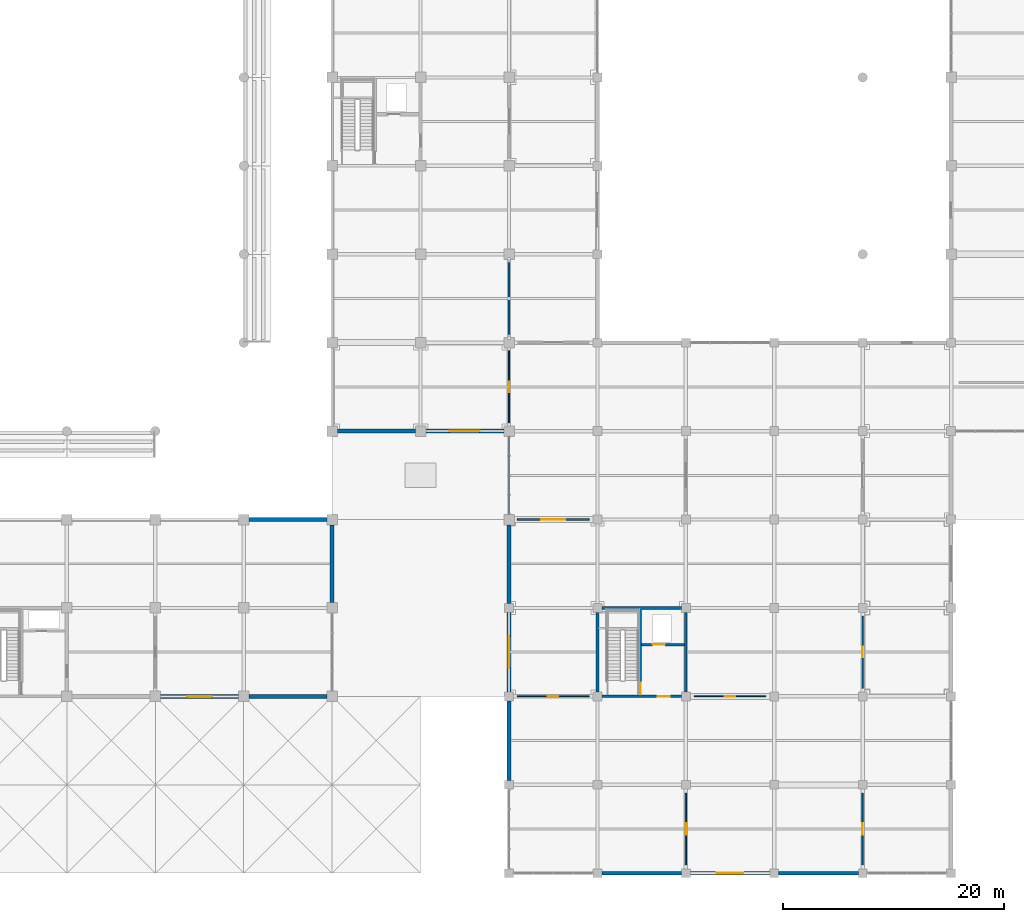
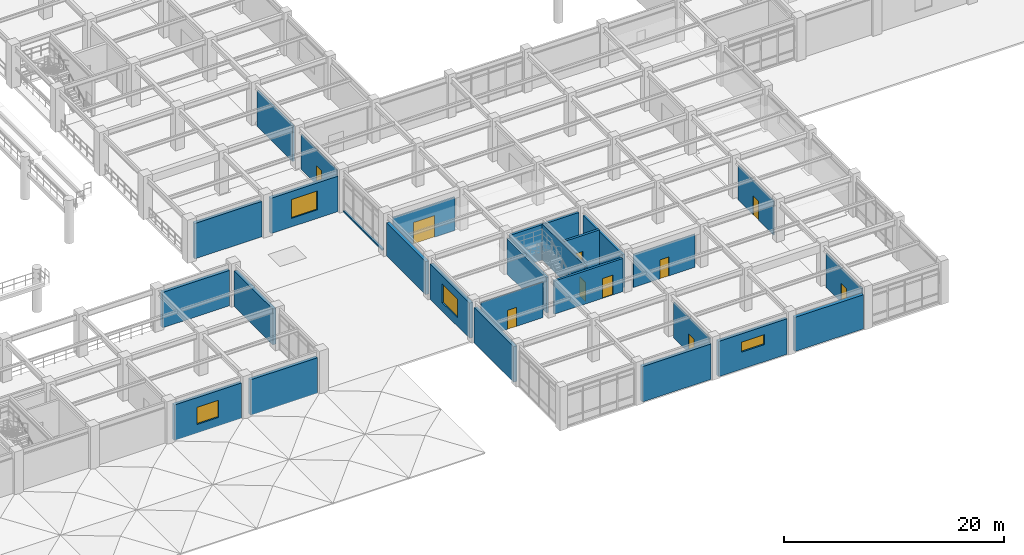
# One storey, part 73 of 109: 27 walls, 10 doors, 4 windows, 14 openings.
"""IFC4 building model written with IfcOpenShell, lengths in metres."""

import ifcopenshell
import ifcopenshell.guid

model = None  # the IFC model being written
_history = None  # IfcOwnerHistory: only IFC2X3 demands one
_inside = {}  # id of a spatial element -> (the spatial element, [elements in it])
_under = {}  # id of a project, library or spatial element -> (it, [spatial elements below it])
_declared = {}  # id of a project -> (the project, [libraries it declares])
_typed = {}  # id of a type object -> (the type object, [elements of that type])
_made_of = {}  # id of a material, layer set ... -> (it, [elements and type objects made of it])


def new_model(schema):
    """Start an empty IFC model of exactly this schema.

    Asked for "IFC4X3", IfcOpenShell would pick the latest addendum, in which some entities
    have other attributes; the version numbers below select the first issue.
    IFC2X3 requires an IfcOwnerHistory on every rooted entity: one is made here for all.
    """
    global model, _history
    if schema == "IFC4X3":
        model = ifcopenshell.file(schema_version=(4, 3, 0, 0))
    else:
        model = ifcopenshell.file(schema=schema)
    _inside.clear()
    _under.clear()
    _declared.clear()
    _typed.clear()
    _made_of.clear()
    _history = None
    if model.schema == "IFC2X3":
        org = make("IfcOrganization", Name="unknown")
        user = make(
            "IfcPersonAndOrganization",
            ThePerson=make("IfcPerson", FamilyName="unknown"),
            TheOrganization=org,
        )
        app = make(
            "IfcApplication",
            ApplicationDeveloper=org,
            Version="unknown",
            ApplicationFullName="unknown",
            ApplicationIdentifier="unknown",
        )
        _history = make(
            "IfcOwnerHistory",
            OwningUser=user,
            OwningApplication=app,
            ChangeAction="ADDED",
            CreationDate=0,
        )
    return model


def make(cls, **values):
    """One entity of the class cls with the attributes given. An attribute that is None is left unset."""
    return model.create_entity(
        cls, **{name: value for name, value in values.items() if value is not None}
    )


def rooted(cls, **values):
    """An entity with a GlobalId (a new one), such as an element, a storey or a relation."""
    return make(cls, GlobalId=ifcopenshell.guid.new(), OwnerHistory=_history, **values)


def si_unit(unit_type, name, prefix=None):
    """IfcSIUnit, for example si_unit("LENGTHUNIT", "METRE", prefix="MILLI")."""
    return make("IfcSIUnit", UnitType=unit_type, Prefix=prefix, Name=name)


def assignment(units):
    """IfcUnitAssignment: the units of a project."""
    return None if units is None else make("IfcUnitAssignment", Units=units)


def point(xyz):
    """IfcCartesianPoint."""
    return None if xyz is None else make("IfcCartesianPoint", Coordinates=xyz)


def direction(xyz):
    """IfcDirection."""
    return None if xyz is None else make("IfcDirection", DirectionRatios=xyz)


def frame(location, z_axis=None, x_axis=None):
    """IfcAxis2Placement3D, a coordinate frame: its origin and axes. An axis left out is left unset."""
    return make(
        "IfcAxis2Placement3D",
        Location=point(location),
        Axis=direction(z_axis),
        RefDirection=direction(x_axis),
    )


def frame_2d(location, x_axis=None):
    """IfcAxis2Placement2D, a coordinate frame in the plane: its origin and x axis."""
    return make(
        "IfcAxis2Placement2D", Location=point(location), RefDirection=direction(x_axis)
    )


def origin():
    """The frame at (0, 0, 0) with its axes left unset."""
    return frame((0.0, 0.0, 0.0))


def place(relative_to, where):
    """IfcLocalPlacement: puts the frame where relative to a parent placement (None: the world)."""
    return make(
        "IfcLocalPlacement", PlacementRelTo=relative_to, RelativePlacement=where
    )


def context(
    kind, dimensions, precision=None, world=None, true_north=None, identifier=None
):
    """IfcGeometricRepresentationContext, for example the 3D "Model" context."""
    return make(
        "IfcGeometricRepresentationContext",
        ContextIdentifier=identifier,
        ContextType=kind,
        CoordinateSpaceDimension=dimensions,
        Precision=precision,
        WorldCoordinateSystem=world,
        TrueNorth=true_north,
    )


def subcontext(parent, identifier, kind, view, scale=None):
    """IfcGeometricRepresentationSubContext, for example "Body" below "Model"."""
    return make(
        "IfcGeometricRepresentationSubContext",
        ContextIdentifier=identifier,
        ContextType=kind,
        ParentContext=parent,
        TargetScale=scale,
        TargetView=view,
    )


def project(units=None, contexts=None):
    """IfcProject with its units and contexts."""
    return rooted(
        "IfcProject",
        Name="project",
        RepresentationContexts=contexts,
        UnitsInContext=assignment(units),
    )


def spatial(cls, under=None, at=None, **own):
    """A site, building, storey or space (cls), placed at a placement, below another one or the project."""
    s = rooted(cls, ObjectPlacement=at, **own)
    if under is not None:
        _under.setdefault(under.id(), (under, []))[1].append(s)
    return s


def profile(cls, at=None, kind="AREA", **sizes):
    """A parametric profile (cls). Its sizes go by their IFC names, for example OverallWidth=200.0."""
    return make(cls, ProfileType=kind, Position=at, **sizes)


def rectangle(**sizes):
    """IfcRectangleProfileDef."""
    return profile("IfcRectangleProfileDef", **sizes)


def extrude(swept, where, along, depth):
    """IfcExtrudedAreaSolid: the profile swept, set in the frame where, extruded along a direction by depth."""
    return make(
        "IfcExtrudedAreaSolid",
        SweptArea=swept,
        Position=where,
        ExtrudedDirection=direction(along),
        Depth=depth,
    )


def shape(context_of_items, identifier, shape_type, items):
    """IfcShapeRepresentation: the items that make up one representation, for example the "Body"."""
    return make(
        "IfcShapeRepresentation",
        ContextOfItems=context_of_items,
        RepresentationIdentifier=identifier,
        RepresentationType=shape_type,
        Items=items,
    )


def material(Name=None, Category=None):
    """IfcMaterial."""
    return make("IfcMaterial", Name=Name, Category=Category)


def layer(
    of_material, thickness, ventilated=None, Name=None, Category=None, Priority=None
):
    """IfcMaterialLayer: one layer of a wall or slab, of a material (None: an air gap)."""
    return make(
        "IfcMaterialLayer",
        Material=of_material,
        LayerThickness=thickness,
        IsVentilated=ventilated,
        Name=Name,
        Category=Category,
        Priority=Priority,
    )


def layer_set(layers, Name=None):
    """IfcMaterialLayerSet."""
    return make("IfcMaterialLayerSet", MaterialLayers=layers, LayerSetName=Name)


def made_of(thing, what):
    """Note that an element or type object is made of a material, layer set ...; save() writes the relation."""
    if what is not None:
        _made_of.setdefault(what.id(), (what, []))[1].append(thing)
    return thing


def type_object(cls, material=None, **own):
    """A type object (cls), such as IfcWallType, which elements share."""
    return made_of(rooted(cls, **own), material)


def element(
    cls,
    number,
    at=None,
    inside=None,
    cuts=None,
    type_object=None,
    material=None,
    context=None,
    identifier="Body",
    shape_type=None,
    held_by="IfcProductDefinitionShape",
    body=None,
    shapes=None,
    **own,
):
    """One element of the class cls, such as IfcWall. Its Tag is "e" and its number.

    at: its placement. inside: the storey or other place that contains it. cuts: it is an
    opening in that element (IfcRelVoidsElement). A single representation is given by context,
    identifier, shape_type and body (its items); several are given by shapes. held_by: the class
    of the entity that holds the representations. save() writes the other relations.
    """
    e = rooted(cls, Tag="e%d" % number, ObjectPlacement=at, **own)
    if body is not None:
        shapes = [shape(context, identifier, shape_type, body)]
    if shapes is not None:
        e.Representation = make(held_by, Representations=shapes)
    if inside is not None:
        _inside.setdefault(inside.id(), (inside, []))[1].append(e)
    if cuts is not None:
        rooted(
            "IfcRelVoidsElement", RelatingBuildingElement=cuts, RelatedOpeningElement=e
        )
    if type_object is not None:
        _typed.setdefault(type_object.id(), (type_object, []))[1].append(e)
    return made_of(e, material)


def fill(opening, filler):
    """IfcRelFillsElement: the door or window that sits in an opening."""
    return rooted(
        "IfcRelFillsElement",
        RelatingOpeningElement=opening,
        RelatedBuildingElement=filler,
    )


def aggregate(whole, parts):
    """IfcRelAggregates: a whole, such as a stair, and the parts it consists of."""
    return rooted("IfcRelAggregates", RelatingObject=whole, RelatedObjects=parts)


def save(model, path):
    """Write the relations noted so far, then the file.

    IfcRelAggregates (storeys below a building ...), IfcRelContainedInSpatialStructure (elements
    in a storey), IfcRelDefinesByType, IfcRelAssociatesMaterial and IfcRelDeclares: one each for
    every whole, place, type object, material and project.
    """
    for whole, parts in _under.values():
        aggregate(whole, parts)
    for where, things in _inside.values():
        rooted(
            "IfcRelContainedInSpatialStructure",
            RelatedElements=things,
            RelatingStructure=where,
        )
    for kind, things in _typed.values():
        rooted("IfcRelDefinesByType", RelatedObjects=things, RelatingType=kind)
    for what, things in _made_of.values():
        rooted("IfcRelAssociatesMaterial", RelatedObjects=things, RelatingMaterial=what)
    for by, libraries in _declared.values():
        rooted("IfcRelDeclares", RelatingContext=by, RelatedDefinitions=libraries)
    model.write(path)


model = new_model("IFC4")

# Units and contexts
model_context = context("Model", 3, precision=1e-05, world=origin(), true_north=direction((0.0, 1.0)))
body_context = subcontext(model_context, "Body", "Model", "MODEL_VIEW")
ifc_project = project(units=[si_unit("LENGTHUNIT", "METRE"), si_unit("AREAUNIT", "SQUARE_METRE"), si_unit("VOLUMEUNIT", "CUBIC_METRE"), si_unit("PLANEANGLEUNIT", "RADIAN"), si_unit("MASSUNIT", "GRAM", prefix="KILO")], contexts=[model_context])

# Site, building, storey
site_placement = place(None, origin())
site = spatial("IfcSite", under=ifc_project, at=site_placement, CompositionType="ELEMENT")
building_placement = place(site_placement, origin())
building = spatial("IfcBuilding", under=site, at=building_placement, Name="Haebicheon Civic Stadium", CompositionType="ELEMENT")
storey_placement = place(building_placement, frame((0.0, 0.0, 9.60009765625)))
storey = spatial("IfcBuildingStorey", under=building, at=storey_placement, Name="L03", CompositionType="ELEMENT", Elevation=9.60009765625)

# Wall, opening, door
ifc_material_1 = material(Name="Concrete C40/50", Category="concrete")
ifc_layer_1 = layer(ifc_material_1, 0.239990234375, Name="Concrete C40/50")
ifc_layer_set_1 = layer_set([ifc_layer_1], Name="Concrete C40/50")
wall_type_1 = type_object("IfcWallType", Name="CW-SHR-240", PredefinedType="SHEAR", material=ifc_layer_set_1)
wall_1_placement = place(storey_placement, frame((168.39990234375, 16.0, 0.0), z_axis=(0.0, 0.0, 1.0), x_axis=(1.0, 0.0, 0.0)))
wall_1 = element("IfcWall", 1, at=wall_1_placement, inside=storey, type_object=wall_type_1, material=ifc_layer_set_1, Name="KC-14 L03 south core shear wall", PredefinedType="SHEAR", context=body_context, shape_type="SweptSolid", body=[
    extrude(rectangle(XDim=7.2001953125, YDim=0.239990234375, at=frame_2d((3.60009765625, 0.0))), origin(), (0.0, 0.0, 1.0), 3.679931640625),
])
opening_1_placement = place(wall_1_placement, frame((5.050048828125, 0.0, 0.0)))
opening_1 = element("IfcOpeningElement", 2, at=opening_1_placement, cuts=wall_1, Name="Opening D-L03-KC-14-LOB", PredefinedType="OPENING", context=body_context, shape_type="SweptSolid", body=[
    extrude(rectangle(XDim=1.10009765625, YDim=2.199951171875, at=frame_2d((0.550048828125, 1.10009765625))), frame((0.0, 0.1298828125, 0.0), z_axis=(0.0, -1.0, 0.0), x_axis=(1.0, 0.0, 0.0)), (0.0, 0.0, 1.0), 0.260009765625),
])
ifc_material_2 = material(Name="Galvanised painted steel SM355", Category="steel")
door_type_1 = type_object("IfcDoorType", Name="ID-FD-1100", OperationType="NOTDEFINED", PredefinedType="DOOR", material=ifc_material_2)
door_1_placement = place(opening_1_placement, origin())
door_1 = element("IfcDoor", 3, at=door_1_placement, inside=storey, type_object=door_type_1, material=ifc_material_2, Name="L03 KC-14 lobby fire door", OperationType="SINGLE_SWING_RIGHT", OverallHeight=2.199951171875, OverallWidth=1.10009765625, PredefinedType="DOOR", context=body_context, shape_type="SweptSolid", body=[
    extrude(rectangle(XDim=1.10009765625, YDim=2.199951171875, at=frame_2d((0.550048828125, 1.10009765625))), frame((0.0, 0.02490234375, 0.0), z_axis=(0.0, -1.0, 0.0), x_axis=(1.0, 0.0, 0.0)), (0.0, 0.0, 1.0), 0.050048828125),
])
fill(opening_1, door_1)

# Walls
for number, where, z_axis, x_axis, name in (
    (4, (168.39990234375, 24.0, 0.0), (0.0, 0.0, 1.0), (1.0, 0.0, 0.0), "KC-14 L03 north core shear wall"),
    (5, (168.0, 16.39990234375, 0.0), (0.0, 0.0, 1.0), (0.0, 1.0, 0.0), "KC-14 L03 west core shear wall"),
):
    element("IfcWall", number, at=place(storey_placement, frame(where, z_axis=z_axis, x_axis=x_axis)), inside=storey, type_object=wall_type_1, material=ifc_layer_set_1, Name=name, PredefinedType="SHEAR", context=body_context, shape_type="SweptSolid", body=[
        extrude(rectangle(XDim=7.2001953125, YDim=0.239990234375, at=frame_2d((3.60009765625, 0.0))), origin(), (0.0, 0.0, 1.0), 3.929931640625),
    ])
wall_2_placement = place(storey_placement, frame((176.0, 16.39990234375, 0.0), z_axis=(0.0, 0.0, 1.0), x_axis=(0.0, 1.0, 0.0)))
element("IfcWall", 6, at=wall_2_placement, inside=storey, type_object=wall_type_1, material=ifc_layer_set_1, Name="KC-14 L03 east core shear wall", PredefinedType="SHEAR", context=body_context, shape_type="SweptSolid", body=[
    extrude(rectangle(XDim=7.2001953125, YDim=0.239990234375, at=frame_2d((3.60009765625, 0.0))), origin(), (0.0, 0.0, 1.0), 3.679931640625),
])

# Wall, opening, door
wall_3_placement = place(storey_placement, frame((171.8798828125, 16.1201171875, 0.0), z_axis=(0.0, 0.0, 1.0), x_axis=(0.0, 1.0, 0.0)))
wall_3 = element("IfcWall", 7, at=wall_3_placement, inside=storey, type_object=wall_type_1, material=ifc_layer_set_1, Name="KC-14 L03 stair-lobby dividing shear wall", PredefinedType="SHEAR", context=body_context, shape_type="SweptSolid", body=[
    extrude(rectangle(XDim=7.759765625, YDim=0.239990234375, at=frame_2d((3.8798828125, 0.0))), origin(), (0.0, 0.0, 1.0), 4.02978515625),
])
opening_2_placement = place(wall_3_placement, frame((0.080078125, 0.0, 0.0)))
opening_2 = element("IfcOpeningElement", 8, at=opening_2_placement, cuts=wall_3, Name="Opening D-L03-KC-14-STR", PredefinedType="OPENING", context=body_context, shape_type="SweptSolid", body=[
    extrude(rectangle(XDim=1.050048828125, YDim=2.14990234375, at=frame_2d((0.52490234375, 1.074951171875))), frame((0.0, 0.1298828125, 0.0), z_axis=(0.0, -1.0, 0.0), x_axis=(1.0, 0.0, 0.0)), (0.0, 0.0, 1.0), 0.260009765625),
])
ifc_material_3 = material(Name="Galvanised painted steel SM355", Category="steel")
door_type_2 = type_object("IfcDoorType", Name="ID-FD-1050", OperationType="NOTDEFINED", PredefinedType="DOOR", material=ifc_material_3)
door_2_placement = place(opening_2_placement, origin())
door_2 = element("IfcDoor", 9, at=door_2_placement, inside=storey, type_object=door_type_2, material=ifc_material_3, Name="L03 ST-14 stairwell escape door", OperationType="SINGLE_SWING_LEFT", OverallHeight=2.14990234375, OverallWidth=1.050048828125, PredefinedType="DOOR", context=body_context, shape_type="SweptSolid", body=[
    extrude(rectangle(XDim=1.050048828125, YDim=2.14990234375, at=frame_2d((0.52490234375, 1.074951171875))), frame((0.0, 0.02490234375, 0.0), z_axis=(0.0, -1.0, 0.0), x_axis=(1.0, 0.0, 0.0)), (0.0, 0.0, 1.0), 0.050048828125),
])
fill(opening_2, door_2)

wall_4_placement = place(storey_placement, frame((172.0, 20.679931640625, 0.0), z_axis=(0.0, 0.0, 1.0), x_axis=(1.0, 0.0, 0.0)))
wall_4 = element("IfcWall", 10, at=wall_4_placement, inside=storey, type_object=wall_type_1, material=ifc_layer_set_1, Name="KC-14 L03 lift shaft front wall", PredefinedType="SHEAR", context=body_context, shape_type="SweptSolid", body=[
    extrude(rectangle(XDim=3.8798828125, YDim=0.239990234375, at=frame_2d((1.93994140625, 0.0))), origin(), (0.0, 0.0, 1.0), 3.929931640625),
])
opening_3_placement = place(wall_4_placement, frame((1.0, 0.0, 0.0)))
opening_3 = element("IfcOpeningElement", 11, at=opening_3_placement, cuts=wall_4, Name="Opening LD-10-L03", PredefinedType="OPENING", context=body_context, shape_type="SweptSolid", body=[
    extrude(rectangle(XDim=1.10009765625, YDim=2.14990234375, at=frame_2d((0.550048828125, 1.074951171875))), frame((0.0, 0.1298828125, 0.0), z_axis=(0.0, -1.0, 0.0), x_axis=(1.0, 0.0, 0.0)), (0.0, 0.0, 1.0), 0.260009765625),
])
ifc_material_4 = material(Name="Stainless steel 316", Category="steel")
door_type_3 = type_object("IfcDoorType", Name="ID-LD-1100", OperationType="NOTDEFINED", PredefinedType="DOOR", material=ifc_material_4)
door_3_placement = place(opening_3_placement, origin())
door_3 = element("IfcDoor", 12, at=door_3_placement, inside=storey, type_object=door_type_3, material=ifc_material_4, Name="LF-10 lift landing sliding door L03", OperationType="SLIDING_TO_LEFT", OverallHeight=2.14990234375, OverallWidth=1.10009765625, PredefinedType="DOOR", context=body_context, shape_type="SweptSolid", body=[
    extrude(rectangle(XDim=1.10009765625, YDim=2.14990234375, at=frame_2d((0.550048828125, 1.074951171875))), frame((0.0, 0.02490234375, 0.0), z_axis=(0.0, -1.0, 0.0), x_axis=(1.0, 0.0, 0.0)), (0.0, 0.0, 1.0), 0.050048828125),
])
fill(opening_3, door_3)

# Wall, opening, window
ifc_material_5 = material(Name="Concrete C40/50", Category="concrete")
ifc_layer_2 = layer(ifc_material_5, 0.35009765625, Name="Concrete C40/50")
ifc_layer_set_2 = layer_set([ifc_layer_2], Name="Concrete C40/50")
wall_type_2 = type_object("IfcWallType", Name="EW-BM-350", PredefinedType="SOLIDWALL", material=ifc_layer_set_2)
wall_5_placement = place(storey_placement, frame((128.47509765625, 16.0, 0.0), z_axis=(0.0, 0.0, 1.0), x_axis=(1.0, 0.0, 0.0)))
wall_5 = element("IfcWall", 13, at=wall_5_placement, inside=storey, type_object=wall_type_2, material=ifc_layer_set_2, Name="L03 board-marked concrete facade wall 16-02-S", PredefinedType="SOLIDWALL", context=body_context, shape_type="SweptSolid", body=[
    extrude(rectangle(XDim=7.0498046875, YDim=0.35009765625, at=frame_2d((3.52490234375, 0.0))), origin(), (0.0, 0.0, 1.0), 3.929931640625),
])
opening_4_placement = place(wall_5_placement, frame((2.39990234375, 0.0, 0.949951171875)))
opening_4 = element("IfcOpeningElement", 14, at=opening_4_placement, cuts=wall_5, Name="Opening WIN-225x190", PredefinedType="OPENING", context=body_context, shape_type="SweptSolid", body=[
    extrude(rectangle(XDim=2.25, YDim=1.89990234375, at=frame_2d((1.125, 0.949951171875))), frame((0.0, 0.18505859375, 0.0), z_axis=(0.0, -1.0, 0.0), x_axis=(1.0, 0.0, 0.0)), (0.0, 0.0, 1.0), 0.3701171875),
])
ifc_material_6 = material(Name="Anodised aluminium and laminated glass", Category="aluminium")
window_type_1 = type_object("IfcWindowType", Name="WIN-225x190", PartitioningType="SINGLE_PANEL", PredefinedType="WINDOW", material=ifc_material_6)
window_1_placement = place(opening_4_placement, origin())
window_1 = element("IfcWindow", 15, at=window_1_placement, inside=storey, type_object=window_type_1, material=ifc_material_6, Name="L03 facade window 076", OverallHeight=1.89990234375, OverallWidth=2.25, PartitioningType="SINGLE_PANEL", PredefinedType="WINDOW", context=body_context, shape_type="SweptSolid", body=[
    extrude(rectangle(XDim=2.25, YDim=1.89990234375, at=frame_2d((1.125, 0.949951171875))), frame((0.0, 0.030029296875, 0.0), z_axis=(0.0, -1.0, 0.0), x_axis=(1.0, 0.0, 0.0)), (0.0, 0.0, 1.0), 0.06005859375),
])
fill(opening_4, window_1)

# Walls
for number, where, z_axis, x_axis, name in (
    (16, (136.47509765625, 16.0, 0.0), (0.0, 0.0, 1.0), (1.0, 0.0, 0.0), "L03 board-marked concrete facade wall 17-02-S"),
    (17, (136.47509765625, 32.0, 0.0), (0.0, 0.0, 1.0), (1.0, 0.0, 0.0), "L03 board-marked concrete facade wall 17-04-N"),
):
    element("IfcWall", number, at=place(storey_placement, frame(where, z_axis=z_axis, x_axis=x_axis)), inside=storey, type_object=wall_type_2, material=ifc_layer_set_2, Name=name, PredefinedType="SOLIDWALL", context=body_context, shape_type="SweptSolid", body=[
        extrude(rectangle(XDim=7.0498046875, YDim=0.35009765625, at=frame_2d((3.52490234375, 0.0))), origin(), (0.0, 0.0, 1.0), 3.929931640625),
    ])
wall_6_placement = place(storey_placement, frame((144.0, 24.47509765625, 0.0), z_axis=(0.0, 0.0, 1.0), x_axis=(0.0, 1.0, 0.0)))
element("IfcWall", 18, at=wall_6_placement, inside=storey, type_object=wall_type_2, material=ifc_layer_set_2, Name="L03 board-marked concrete facade wall 18-03-E", PredefinedType="SOLIDWALL", context=body_context, shape_type="SweptSolid", body=[
    extrude(rectangle(XDim=7.0498046875, YDim=0.35009765625, at=frame_2d((3.52490234375, 0.0))), origin(), (0.0, 0.0, 1.0), 3.949951171875),
])
wall_7_placement = place(storey_placement, frame((144.47509765625, 40.0, 0.0), z_axis=(0.0, 0.0, 1.0), x_axis=(1.0, 0.0, 0.0)))
element("IfcWall", 19, at=wall_7_placement, inside=storey, type_object=wall_type_2, material=ifc_layer_set_2, Name="L03 board-marked concrete facade wall 18-05-S", PredefinedType="SOLIDWALL", context=body_context, shape_type="SweptSolid", body=[
    extrude(rectangle(XDim=7.0498046875, YDim=0.35009765625, at=frame_2d((3.52490234375, 0.0))), origin(), (0.0, 0.0, 1.0), 3.929931640625),
])

# Wall, opening, window
wall_8_placement = place(storey_placement, frame((152.47509765625, 40.0, 0.0), z_axis=(0.0, 0.0, 1.0), x_axis=(1.0, 0.0, 0.0)))
wall_8 = element("IfcWall", 20, at=wall_8_placement, inside=storey, type_object=wall_type_2, material=ifc_layer_set_2, Name="L03 board-marked concrete facade wall 19-05-S", PredefinedType="SOLIDWALL", context=body_context, shape_type="SweptSolid", body=[
    extrude(rectangle(XDim=7.0498046875, YDim=0.35009765625, at=frame_2d((3.52490234375, 0.0))), origin(), (0.0, 0.0, 1.0), 3.929931640625),
])
opening_5_placement = place(wall_8_placement, frame((2.175048828125, 0.0, 0.949951171875)))
opening_5 = element("IfcOpeningElement", 21, at=opening_5_placement, cuts=wall_8, Name="Opening WIN-270x210", PredefinedType="OPENING", context=body_context, shape_type="SweptSolid", body=[
    extrude(rectangle(XDim=2.699951171875, YDim=2.10009765625, at=frame_2d((1.35009765625, 1.050048828125))), frame((0.0, 0.18505859375, 0.0), z_axis=(0.0, -1.0, 0.0), x_axis=(1.0, 0.0, 0.0)), (0.0, 0.0, 1.0), 0.3701171875),
])
ifc_material_7 = material(Name="Anodised aluminium and laminated glass", Category="aluminium")
window_type_2 = type_object("IfcWindowType", Name="WIN-270x210", PartitioningType="SINGLE_PANEL", PredefinedType="WINDOW", material=ifc_material_7)
window_2_placement = place(opening_5_placement, origin())
window_2 = element("IfcWindow", 22, at=window_2_placement, inside=storey, type_object=window_type_2, material=ifc_material_7, Name="L03 facade window 079", OverallHeight=2.10009765625, OverallWidth=2.699951171875, PartitioningType="SINGLE_PANEL", PredefinedType="WINDOW", context=body_context, shape_type="SweptSolid", body=[
    extrude(rectangle(XDim=2.699951171875, YDim=2.10009765625, at=frame_2d((1.35009765625, 1.050048828125))), frame((0.0, 0.030029296875, 0.0), z_axis=(0.0, -1.0, 0.0), x_axis=(1.0, 0.0, 0.0)), (0.0, 0.0, 1.0), 0.06005859375),
])
fill(opening_5, window_2)

# Wall
wall_9_placement = place(storey_placement, frame((160.0, 8.39990234375, 0.0), z_axis=(0.0, 0.0, 1.0), x_axis=(0.0, 1.0, 0.0)))
element("IfcWall", 23, at=wall_9_placement, inside=storey, type_object=wall_type_2, material=ifc_layer_set_2, Name="L03 board-marked concrete facade wall 20-01-W", PredefinedType="SOLIDWALL", context=body_context, shape_type="SweptSolid", body=[
    extrude(rectangle(XDim=7.2001953125, YDim=0.35009765625, at=frame_2d((3.60009765625, 0.0))), origin(), (0.0, 0.0, 1.0), 3.929931640625),
])

# Wall, opening, window
wall_10_placement = place(storey_placement, frame((160.0, 16.39990234375, 0.0), z_axis=(0.0, 0.0, 1.0), x_axis=(0.0, 1.0, 0.0)))
wall_10 = element("IfcWall", 24, at=wall_10_placement, inside=storey, type_object=wall_type_2, material=ifc_layer_set_2, Name="L03 board-marked concrete facade wall 20-02-W", PredefinedType="SOLIDWALL", context=body_context, shape_type="SweptSolid", body=[
    extrude(rectangle(XDim=7.2001953125, YDim=0.35009765625, at=frame_2d((3.60009765625, 0.0))), origin(), (0.0, 0.0, 1.0), 3.929931640625),
])
opening_6_placement = place(wall_10_placement, frame((2.175048828125, 0.0, 0.949951171875)))
opening_6 = element("IfcOpeningElement", 25, at=opening_6_placement, cuts=wall_10, Name="Opening WIN-285x210", PredefinedType="OPENING", context=body_context, shape_type="SweptSolid", body=[
    extrude(rectangle(XDim=2.85009765625, YDim=2.10009765625, at=frame_2d((1.425048828125, 1.050048828125))), frame((0.0, 0.18505859375, 0.0), z_axis=(0.0, -1.0, 0.0), x_axis=(1.0, 0.0, 0.0)), (0.0, 0.0, 1.0), 0.3701171875),
])
ifc_material_8 = material(Name="Anodised aluminium and laminated glass", Category="aluminium")
window_type_3 = type_object("IfcWindowType", Name="WIN-285x210", PartitioningType="SINGLE_PANEL", PredefinedType="WINDOW", material=ifc_material_8)
window_3_placement = place(opening_6_placement, origin())
window_3 = element("IfcWindow", 26, at=window_3_placement, inside=storey, type_object=window_type_3, material=ifc_material_8, Name="L03 facade window 080", OverallHeight=2.10009765625, OverallWidth=2.85009765625, PartitioningType="SINGLE_PANEL", PredefinedType="WINDOW", context=body_context, shape_type="SweptSolid", body=[
    extrude(rectangle(XDim=2.85009765625, YDim=2.10009765625, at=frame_2d((1.425048828125, 1.050048828125))), frame((0.0, 0.030029296875, 0.0), z_axis=(0.0, -1.0, 0.0), x_axis=(1.0, 0.0, 0.0)), (0.0, 0.0, 1.0), 0.06005859375),
])
fill(opening_6, window_3)

# Walls
wall_11_placement = place(storey_placement, frame((160.0, 24.39990234375, 0.0), z_axis=(0.0, 0.0, 1.0), x_axis=(0.0, 1.0, 0.0)))
element("IfcWall", 27, at=wall_11_placement, inside=storey, type_object=wall_type_2, material=ifc_layer_set_2, Name="L03 board-marked concrete facade wall 20-03-W", PredefinedType="SOLIDWALL", context=body_context, shape_type="SweptSolid", body=[
    extrude(rectangle(XDim=7.125, YDim=0.35009765625, at=frame_2d((3.5625, 0.0))), origin(), (0.0, 0.0, 1.0), 3.679931640625),
])
wall_12_placement = place(storey_placement, frame((168.39990234375, 0.0, 0.0), z_axis=(0.0, 0.0, 1.0), x_axis=(1.0, 0.0, 0.0)))
element("IfcWall", 28, at=wall_12_placement, inside=storey, type_object=wall_type_2, material=ifc_layer_set_2, Name="L03 board-marked concrete facade wall 21-00-S", PredefinedType="SOLIDWALL", context=body_context, shape_type="SweptSolid", body=[
    extrude(rectangle(XDim=7.2001953125, YDim=0.35009765625, at=frame_2d((3.60009765625, 0.0))), origin(), (0.0, 0.0, 1.0), 3.929931640625),
])

# Wall, opening, window
wall_13_placement = place(storey_placement, frame((176.39990234375, 0.0, 0.0), z_axis=(0.0, 0.0, 1.0), x_axis=(1.0, 0.0, 0.0)))
wall_13 = element("IfcWall", 29, at=wall_13_placement, inside=storey, type_object=wall_type_2, material=ifc_layer_set_2, Name="L03 board-marked concrete facade wall 22-00-S", PredefinedType="SOLIDWALL", context=body_context, shape_type="SweptSolid", body=[
    extrude(rectangle(XDim=7.2001953125, YDim=0.35009765625, at=frame_2d((3.60009765625, 0.0))), origin(), (0.0, 0.0, 1.0), 3.929931640625),
])
opening_7_placement = place(wall_13_placement, frame((2.39990234375, 0.0, 1.89990234375)))
opening_7 = element("IfcOpeningElement", 30, at=opening_7_placement, cuts=wall_13, Name="Opening WIN-240x110", PredefinedType="OPENING", context=body_context, shape_type="SweptSolid", body=[
    extrude(rectangle(XDim=2.39990234375, YDim=1.10009765625, at=frame_2d((1.199951171875, 0.550048828125))), frame((0.0, 0.18505859375, 0.0), z_axis=(0.0, -1.0, 0.0), x_axis=(1.0, 0.0, 0.0)), (0.0, 0.0, 1.0), 0.3701171875),
])
ifc_material_9 = material(Name="Anodised aluminium and laminated glass", Category="aluminium")
window_type_4 = type_object("IfcWindowType", Name="WIN-240x110", PartitioningType="SINGLE_PANEL", PredefinedType="LIGHTDOME", material=ifc_material_9)
window_4_placement = place(opening_7_placement, origin())
window_4 = element("IfcWindow", 31, at=window_4_placement, inside=storey, type_object=window_type_4, material=ifc_material_9, Name="L03 facade window 086", OverallHeight=1.10009765625, OverallWidth=2.39990234375, PartitioningType="SINGLE_PANEL", PredefinedType="LIGHTDOME", context=body_context, shape_type="SweptSolid", body=[
    extrude(rectangle(XDim=2.39990234375, YDim=1.10009765625, at=frame_2d((1.199951171875, 0.550048828125))), frame((0.0, 0.030029296875, 0.0), z_axis=(0.0, -1.0, 0.0), x_axis=(1.0, 0.0, 0.0)), (0.0, 0.0, 1.0), 0.06005859375),
])
fill(opening_7, window_4)

# Walls
wall_14_placement = place(storey_placement, frame((184.39990234375, 0.0, 0.0), z_axis=(0.0, 0.0, 1.0), x_axis=(1.0, 0.0, 0.0)))
element("IfcWall", 32, at=wall_14_placement, inside=storey, type_object=wall_type_2, material=ifc_layer_set_2, Name="L03 board-marked concrete facade wall 23-00-S", PredefinedType="SOLIDWALL", context=body_context, shape_type="SweptSolid", body=[
    extrude(rectangle(XDim=7.2001953125, YDim=0.35009765625, at=frame_2d((3.60009765625, 0.0))), origin(), (0.0, 0.0, 1.0), 3.789794921875),
])
ifc_material_10 = material(Name="Precast concrete C40/50", Category="concrete")
ifc_layer_3 = layer(ifc_material_10, 0.219970703125, Name="Precast concrete C40/50")
ifc_layer_set_3 = layer_set([ifc_layer_3], Name="Precast concrete C40/50")
wall_type_3 = type_object("IfcWallType", Name="EW-PAR-220", PredefinedType="PARAPET", material=ifc_layer_set_3)
wall_15_placement = place(storey_placement, frame((160.0, 32.47509765625, 0.0), z_axis=(0.0, 0.0, 1.0), x_axis=(0.0, 1.0, 0.0)))
element("IfcWall", 33, at=wall_15_placement, inside=storey, type_object=wall_type_3, material=ifc_layer_set_3, Name="L03 curtain-wall concrete upstand kerb", PredefinedType="PARAPET", context=body_context, shape_type="SweptSolid", body=[
    extrude(rectangle(XDim=7.0498046875, YDim=0.219970703125, at=frame_2d((3.52490234375, 0.0))), origin(), (0.0, 0.0, 1.0), 0.159912109375),
])
ifc_material_11 = material(Name="Concrete C35/45", Category="concrete")
ifc_layer_4 = layer(ifc_material_11, 0.199951171875, Name="Concrete C35/45")
ifc_layer_set_4 = layer_set([ifc_layer_4], Name="Concrete C35/45")
wall_type_4 = type_object("IfcWallType", Name="IW-FIR-200", PredefinedType="PARTITIONING", material=ifc_layer_set_4)
wall_16_placement = place(storey_placement, frame((160.0, 48.75, 0.0), z_axis=(0.0, 0.0, 1.0), x_axis=(0.0, 1.0, 0.0)))
element("IfcWall", 34, at=wall_16_placement, inside=storey, type_object=wall_type_4, material=ifc_layer_set_4, Name="L03 braced-frame solid fire wall 20-06", PredefinedType="PARTITIONING", context=body_context, shape_type="SweptSolid", body=[
    extrude(rectangle(XDim=6.5, YDim=0.199951171875, at=frame_2d((3.25, 0.0))), origin(), (0.0, 0.0, 1.0), 3.929931640625),
])

# Wall, opening, door
ifc_material_12 = material(Name="Anodised aluminium and laminated glass", Category="aluminium")
ifc_layer_5 = layer(ifc_material_12, 0.10009765625, Name="Anodised aluminium and laminated glass")
ifc_layer_set_5 = layer_set([ifc_layer_5], Name="Anodised aluminium and laminated glass")
wall_type_5 = type_object("IfcWallType", Name="IW-PRT-100", PredefinedType="PARTITIONING", material=ifc_layer_set_5)
wall_17_placement = place(storey_placement, frame((160.75, 16.0, 0.0), z_axis=(0.0, 0.0, 1.0), x_axis=(1.0, 0.0, 0.0)))
wall_17 = element("IfcWall", 35, at=wall_17_placement, inside=storey, type_object=wall_type_5, material=ifc_layer_set_5, Name="L03 Supporters' Club Lounge partition wall", PredefinedType="PARTITIONING", context=body_context, shape_type="SweptSolid", body=[
    extrude(rectangle(XDim=6.5, YDim=0.10009765625, at=frame_2d((3.25, 0.0))), origin(), (0.0, 0.0, 1.0), 3.929931640625),
])
opening_8_placement = place(wall_17_placement, frame((2.77490234375, 0.0, 0.0)))
opening_8 = element("IfcOpeningElement", 36, at=opening_8_placement, cuts=wall_17, Name="Opening D-L03-315", PredefinedType="OPENING", context=body_context, shape_type="SweptSolid", body=[
    extrude(rectangle(XDim=0.949951171875, YDim=2.10009765625, at=frame_2d((0.47509765625, 1.050048828125))), frame((0.0, 0.06005859375, 0.0), z_axis=(0.0, -1.0, 0.0), x_axis=(1.0, 0.0, 0.0)), (0.0, 0.0, 1.0), 0.1201171875),
])
ifc_material_13 = material(Name="Engineered hardwood timber", Category="wood")
door_type_4 = type_object("IfcDoorType", Name="ID-RM-0950", OperationType="NOTDEFINED", PredefinedType="DOOR", material=ifc_material_13)
door_4_placement = place(opening_8_placement, origin())
door_4 = element("IfcDoor", 37, at=door_4_placement, inside=storey, type_object=door_type_4, material=ifc_material_13, Name="L03 Supporters' Club Lounge entrance door D-L03-315", OperationType="SINGLE_SWING_LEFT", OverallHeight=2.10009765625, OverallWidth=0.949951171875, PredefinedType="DOOR", context=body_context, shape_type="SweptSolid", body=[
    extrude(rectangle(XDim=0.949951171875, YDim=2.10009765625, at=frame_2d((0.47509765625, 1.050048828125))), frame((0.0, 0.02490234375, 0.0), z_axis=(0.0, -1.0, 0.0), x_axis=(1.0, 0.0, 0.0)), (0.0, 0.0, 1.0), 0.050048828125),
])
fill(opening_8, door_4)

wall_18_placement = place(storey_placement, frame((160.0, 40.75, 0.0), z_axis=(0.0, 0.0, 1.0), x_axis=(0.0, 1.0, 0.0)))
wall_18 = element("IfcWall", 38, at=wall_18_placement, inside=storey, type_object=wall_type_5, material=ifc_layer_set_5, Name="L03 Community Seminar Room partition wall", PredefinedType="PARTITIONING", context=body_context, shape_type="SweptSolid", body=[
    extrude(rectangle(XDim=6.5, YDim=0.10009765625, at=frame_2d((3.25, 0.0))), origin(), (0.0, 0.0, 1.0), 3.929931640625),
])
opening_9_placement = place(wall_18_placement, frame((2.77490234375, 0.0, 0.0)))
opening_9 = element("IfcOpeningElement", 39, at=opening_9_placement, cuts=wall_18, Name="Opening D-L03-317", PredefinedType="OPENING", context=body_context, shape_type="SweptSolid", body=[
    extrude(rectangle(XDim=0.949951171875, YDim=2.10009765625, at=frame_2d((0.47509765625, 1.050048828125))), frame((0.0, 0.06005859375, 0.0), z_axis=(0.0, -1.0, 0.0), x_axis=(1.0, 0.0, 0.0)), (0.0, 0.0, 1.0), 0.1201171875),
])
door_5_placement = place(opening_9_placement, origin())
door_5 = element("IfcDoor", 40, at=door_5_placement, inside=storey, type_object=door_type_4, material=ifc_material_13, Name="L03 Community Seminar Room entrance door D-L03-317", OperationType="SINGLE_SWING_RIGHT", OverallHeight=2.10009765625, OverallWidth=0.949951171875, PredefinedType="DOOR", context=body_context, shape_type="SweptSolid", body=[
    extrude(rectangle(XDim=0.949951171875, YDim=2.10009765625, at=frame_2d((0.47509765625, 1.050048828125))), frame((0.0, 0.02490234375, 0.0), z_axis=(0.0, -1.0, 0.0), x_axis=(1.0, 0.0, 0.0)), (0.0, 0.0, 1.0), 0.050048828125),
])
fill(opening_9, door_5)

wall_19_placement = place(storey_placement, frame((176.75, 16.0, 0.0), z_axis=(0.0, 0.0, 1.0), x_axis=(1.0, 0.0, 0.0)))
wall_19 = element("IfcWall", 41, at=wall_19_placement, inside=storey, type_object=wall_type_5, material=ifc_layer_set_5, Name="L03 Supporters' Club Lounge partition wall", PredefinedType="PARTITIONING", context=body_context, shape_type="SweptSolid", body=[
    extrude(rectangle(XDim=6.5, YDim=0.10009765625, at=frame_2d((3.25, 0.0))), origin(), (0.0, 0.0, 1.0), 3.679931640625),
])
opening_10_placement = place(wall_19_placement, frame((2.77490234375, 0.0, 0.0)))
opening_10 = element("IfcOpeningElement", 42, at=opening_10_placement, cuts=wall_19, Name="Opening D-L03-327", PredefinedType="OPENING", context=body_context, shape_type="SweptSolid", body=[
    extrude(rectangle(XDim=0.949951171875, YDim=2.10009765625, at=frame_2d((0.47509765625, 1.050048828125))), frame((0.0, 0.06005859375, 0.0), z_axis=(0.0, -1.0, 0.0), x_axis=(1.0, 0.0, 0.0)), (0.0, 0.0, 1.0), 0.1201171875),
])
door_6_placement = place(opening_10_placement, origin())
door_6 = element("IfcDoor", 43, at=door_6_placement, inside=storey, type_object=door_type_4, material=ifc_material_13, Name="L03 Supporters' Club Lounge entrance door D-L03-327", OperationType="SINGLE_SWING_LEFT", OverallHeight=2.10009765625, OverallWidth=0.949951171875, PredefinedType="DOOR", context=body_context, shape_type="SweptSolid", body=[
    extrude(rectangle(XDim=0.949951171875, YDim=2.10009765625, at=frame_2d((0.47509765625, 1.050048828125))), frame((0.0, 0.02490234375, 0.0), z_axis=(0.0, -1.0, 0.0), x_axis=(1.0, 0.0, 0.0)), (0.0, 0.0, 1.0), 0.050048828125),
])
fill(opening_10, door_6)

wall_20_placement = place(storey_placement, frame((192.0, 16.75, 0.0), z_axis=(0.0, 0.0, 1.0), x_axis=(0.0, 1.0, 0.0)))
wall_20 = element("IfcWall", 44, at=wall_20_placement, inside=storey, type_object=wall_type_5, material=ifc_layer_set_5, Name="L03 Supporters' Club Lounge partition wall", PredefinedType="PARTITIONING", context=body_context, shape_type="SweptSolid", body=[
    extrude(rectangle(XDim=6.5, YDim=0.10009765625, at=frame_2d((3.25, 0.0))), origin(), (0.0, 0.0, 1.0), 3.789794921875),
])
opening_11_placement = place(wall_20_placement, frame((2.77490234375, 0.0, 0.0)))
opening_11 = element("IfcOpeningElement", 45, at=opening_11_placement, cuts=wall_20, Name="Opening D-L03-333", PredefinedType="OPENING", context=body_context, shape_type="SweptSolid", body=[
    extrude(rectangle(XDim=0.949951171875, YDim=2.10009765625, at=frame_2d((0.47509765625, 1.050048828125))), frame((0.0, 0.06005859375, 0.0), z_axis=(0.0, -1.0, 0.0), x_axis=(1.0, 0.0, 0.0)), (0.0, 0.0, 1.0), 0.1201171875),
])
door_7_placement = place(opening_11_placement, origin())
door_7 = element("IfcDoor", 46, at=door_7_placement, inside=storey, type_object=door_type_4, material=ifc_material_13, Name="L03 Supporters' Club Lounge entrance door D-L03-333", OperationType="SINGLE_SWING_RIGHT", OverallHeight=2.10009765625, OverallWidth=0.949951171875, PredefinedType="DOOR", context=body_context, shape_type="SweptSolid", body=[
    extrude(rectangle(XDim=0.949951171875, YDim=2.10009765625, at=frame_2d((0.47509765625, 1.050048828125))), frame((0.0, 0.02490234375, 0.0), z_axis=(0.0, -1.0, 0.0), x_axis=(1.0, 0.0, 0.0)), (0.0, 0.0, 1.0), 0.050048828125),
])
fill(opening_11, door_7)

ifc_material_14 = material(Name="Gypsum plasterboard on steel studs", Category="gypsum")
ifc_layer_6 = layer(ifc_material_14, 0.1201171875, Name="Gypsum plasterboard on steel studs")
ifc_layer_set_6 = layer_set([ifc_layer_6], Name="Gypsum plasterboard on steel studs")
wall_type_6 = type_object("IfcWallType", Name="IW-PRT-120", PredefinedType="PARTITIONING", material=ifc_layer_set_6)
wall_21_placement = place(storey_placement, frame((176.0, 0.75, 0.0), z_axis=(0.0, 0.0, 1.0), x_axis=(0.0, 1.0, 0.0)))
wall_21 = element("IfcWall", 47, at=wall_21_placement, inside=storey, type_object=wall_type_6, material=ifc_layer_set_6, Name="L03 Community Seminar Room partition wall", PredefinedType="PARTITIONING", context=body_context, shape_type="SweptSolid", body=[
    extrude(rectangle(XDim=6.5, YDim=0.1201171875, at=frame_2d((3.25, 0.0))), origin(), (0.0, 0.0, 1.0), 3.929931640625),
])
opening_12_placement = place(wall_21_placement, frame((2.75, 0.0, 0.0)))
opening_12 = element("IfcOpeningElement", 48, at=opening_12_placement, cuts=wall_21, Name="Opening D-L03-326", PredefinedType="OPENING", context=body_context, shape_type="SweptSolid", body=[
    extrude(rectangle(XDim=1.0, YDim=2.10009765625, at=frame_2d((0.5, 1.050048828125))), frame((0.0, 0.070068359375, 0.0), z_axis=(0.0, -1.0, 0.0), x_axis=(1.0, 0.0, 0.0)), (0.0, 0.0, 1.0), 0.14013671875),
])
ifc_material_15 = material(Name="Engineered hardwood timber", Category="wood")
door_type_5 = type_object("IfcDoorType", Name="ID-RM-1000", OperationType="NOTDEFINED", PredefinedType="DOOR", material=ifc_material_15)
door_8_placement = place(opening_12_placement, origin())
door_8 = element("IfcDoor", 49, at=door_8_placement, inside=storey, type_object=door_type_5, material=ifc_material_15, Name="L03 Community Seminar Room entrance door D-L03-326", OperationType="SINGLE_SWING_RIGHT", OverallHeight=2.10009765625, OverallWidth=1.0, PredefinedType="DOOR", context=body_context, shape_type="SweptSolid", body=[
    extrude(rectangle(XDim=1.0, YDim=2.10009765625, at=frame_2d((0.5, 1.050048828125))), frame((0.0, 0.02490234375, 0.0), z_axis=(0.0, -1.0, 0.0), x_axis=(1.0, 0.0, 0.0)), (0.0, 0.0, 1.0), 0.050048828125),
])
fill(opening_12, door_8)

ifc_material_16 = material(Name="Gypsum plasterboard on steel studs", Category="gypsum")
ifc_layer_7 = layer(ifc_material_16, 0.1298828125, Name="Gypsum plasterboard on steel studs")
ifc_layer_set_7 = layer_set([ifc_layer_7], Name="Gypsum plasterboard on steel studs")
wall_type_7 = type_object("IfcWallType", Name="IW-PRT-130", PredefinedType="PARTITIONING", material=ifc_layer_set_7)
wall_22_placement = place(storey_placement, frame((192.0, 0.75, 0.0), z_axis=(0.0, 0.0, 1.0), x_axis=(0.0, 1.0, 0.0)))
wall_22 = element("IfcWall", 50, at=wall_22_placement, inside=storey, type_object=wall_type_7, material=ifc_layer_set_7, Name="L03 Community Seminar Room partition wall", PredefinedType="PARTITIONING", context=body_context, shape_type="SweptSolid", body=[
    extrude(rectangle(XDim=6.5, YDim=0.1298828125, at=frame_2d((3.25, 0.0))), origin(), (0.0, 0.0, 1.0), 3.789794921875),
])
opening_13_placement = place(wall_22_placement, frame((2.75, 0.0, 0.0)))
opening_13 = element("IfcOpeningElement", 51, at=opening_13_placement, cuts=wall_22, Name="Opening D-L03-332", PredefinedType="OPENING", context=body_context, shape_type="SweptSolid", body=[
    extrude(rectangle(XDim=1.0, YDim=2.10009765625, at=frame_2d((0.5, 1.050048828125))), frame((0.0, 0.074951171875, 0.0), z_axis=(0.0, -1.0, 0.0), x_axis=(1.0, 0.0, 0.0)), (0.0, 0.0, 1.0), 0.14990234375),
])
door_9_placement = place(opening_13_placement, origin())
door_9 = element("IfcDoor", 52, at=door_9_placement, inside=storey, type_object=door_type_5, material=ifc_material_15, Name="L03 Community Seminar Room entrance door D-L03-332", OperationType="SINGLE_SWING_LEFT", OverallHeight=2.10009765625, OverallWidth=1.0, PredefinedType="DOOR", context=body_context, shape_type="SweptSolid", body=[
    extrude(rectangle(XDim=1.0, YDim=2.10009765625, at=frame_2d((0.5, 1.050048828125))), frame((0.0, 0.02490234375, 0.0), z_axis=(0.0, -1.0, 0.0), x_axis=(1.0, 0.0, 0.0)), (0.0, 0.0, 1.0), 0.050048828125),
])
fill(opening_13, door_9)

ifc_material_17 = material(Name="Gypsum plasterboard on steel studs", Category="gypsum")
ifc_layer_8 = layer(ifc_material_17, 0.14990234375, Name="Gypsum plasterboard on steel studs")
ifc_layer_set_8 = layer_set([ifc_layer_8], Name="Gypsum plasterboard on steel studs")
wall_type_8 = type_object("IfcWallType", Name="IW-PRT-150", PredefinedType="PARTITIONING", material=ifc_layer_set_8)
wall_23_placement = place(storey_placement, frame((160.75, 32.0, 0.0), z_axis=(0.0, 0.0, 1.0), x_axis=(1.0, 0.0, 0.0)))
wall_23 = element("IfcWall", 53, at=wall_23_placement, inside=storey, type_object=wall_type_8, material=ifc_layer_set_8, Name="L03 Civic Banquet Hall partition wall", PredefinedType="PARTITIONING", context=body_context, shape_type="SweptSolid", body=[
    extrude(rectangle(XDim=6.5, YDim=0.14990234375, at=frame_2d((3.25, 0.0))), origin(), (0.0, 0.0, 1.0), 3.679931640625),
])
opening_14_placement = place(wall_23_placement, frame((2.14990234375, 0.0, 0.0)))
opening_14 = element("IfcOpeningElement", 54, at=opening_14_placement, cuts=wall_23, Name="Opening D-L03-316", PredefinedType="OPENING", context=body_context, shape_type="SweptSolid", body=[
    extrude(rectangle(XDim=2.199951171875, YDim=2.39990234375, at=frame_2d((1.10009765625, 1.199951171875))), frame((0.0, 0.0849609375, 0.0), z_axis=(0.0, -1.0, 0.0), x_axis=(1.0, 0.0, 0.0)), (0.0, 0.0, 1.0), 0.169921875),
])
ifc_material_18 = material(Name="Engineered hardwood timber", Category="wood")
door_type_6 = type_object("IfcDoorType", Name="ID-DBL-2200", OperationType="NOTDEFINED", PredefinedType="DOOR", material=ifc_material_18)
door_10_placement = place(opening_14_placement, origin())
door_10 = element("IfcDoor", 55, at=door_10_placement, inside=storey, type_object=door_type_6, material=ifc_material_18, Name="L03 Civic Banquet Hall entrance door D-L03-316", OperationType="DOUBLE_SWING_LEFT", OverallHeight=2.39990234375, OverallWidth=2.199951171875, PredefinedType="DOOR", context=body_context, shape_type="SweptSolid", body=[
    extrude(rectangle(XDim=2.199951171875, YDim=2.39990234375, at=frame_2d((1.10009765625, 1.199951171875))), frame((0.0, 0.02490234375, 0.0), z_axis=(0.0, -1.0, 0.0), x_axis=(1.0, 0.0, 0.0)), (0.0, 0.0, 1.0), 0.050048828125),
])
fill(opening_14, door_10)

save(model, "model.ifc")
